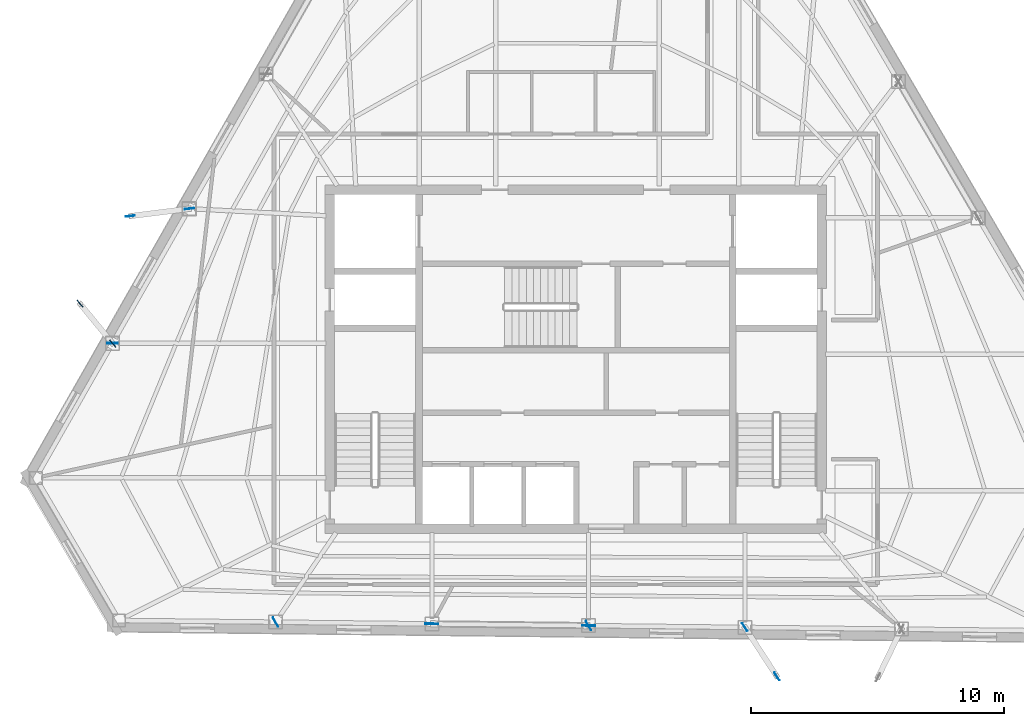
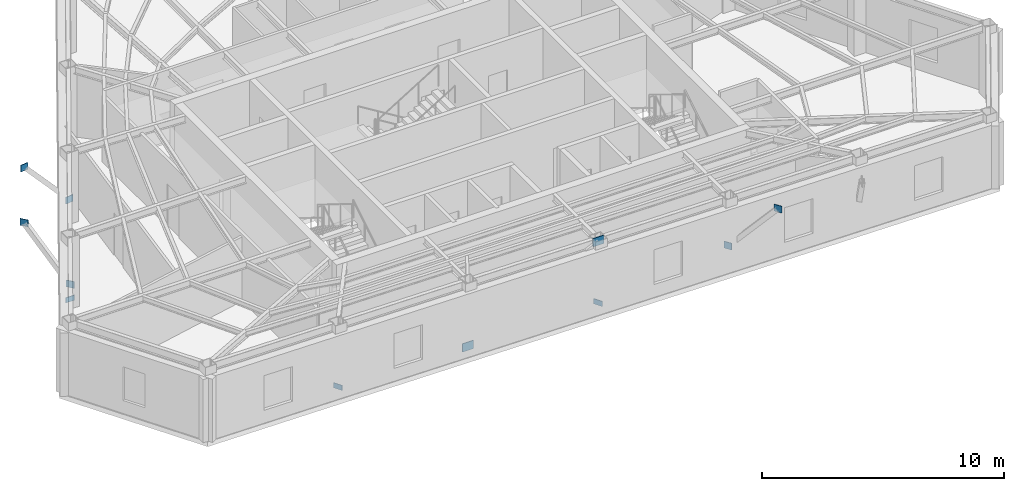
# One storey, part 4 of 11: 11 plates.
"""IFC4 building model written with IfcOpenShell, lengths in metres."""

from ifc_helpers import new_model, si_unit, direction, frame, origin, origin_2d, place, context, subcontext, project, spatial, rectangle, extrude, material, layer, layer_set, type_object, element, save


model = new_model("IFC4")

# Units and contexts
model_context = context("Model", 3, precision=1e-05, world=origin(), true_north=direction((0.0, 1.0)))
body_context = subcontext(model_context, "Body", "Model", "MODEL_VIEW")
ifc_project = project(units=[si_unit("LENGTHUNIT", "METRE"), si_unit("AREAUNIT", "SQUARE_METRE"), si_unit("VOLUMEUNIT", "CUBIC_METRE"), si_unit("PLANEANGLEUNIT", "RADIAN"), si_unit("MASSUNIT", "GRAM", prefix="KILO")], contexts=[model_context])

# Site, building, storey
site_placement = place(None, origin())
site = spatial("IfcSite", under=ifc_project, at=site_placement, CompositionType="ELEMENT")
building_placement = place(site_placement, origin())
building = spatial("IfcBuilding", under=site, at=building_placement, Name="Kavelnor Concourse Tower", CompositionType="ELEMENT")
storey_placement = place(building_placement, frame((0.0, 0.0, 258.75)))
storey = spatial("IfcBuildingStorey", under=building, at=storey_placement, Name="L65", CompositionType="ELEMENT", Elevation=258.75)

# Plates
ifc_material = material(Name="Steel Grade 350", Category="steel")
ifc_layer_1 = layer(ifc_material, 0.028076171875, Name="Steel Grade 350")
ifc_layer_set_1 = layer_set([ifc_layer_1], Name="Steel Grade 350")
plate_type_1 = type_object("IfcPlateType", Name="PL-GUSSET-FOLD", PredefinedType="USERDEFINED", material=ifc_layer_set_1)
for number, where, z_axis, x_axis, name in (
    (1, (22.750732421875, 22.041748046875, 0.8798828125), (0.0, 0.0, 1.0), (-0.99226708428, -0.124121043561, 0.0), "L65 Balcony Strut Gusset GP4 1-A End Gusset A"),
    (2, (20.418701171875, 21.75, 3.48486328125), (0.0, 0.0, 1.0), (-0.99226708428, -0.124121043561, 0.0), "L65 Balcony Strut Gusset GP4 1-A End Gusset B"),
    (3, (19.719482421875, 16.718994140625, 0.8798828125), (0.0, 0.0, 1.0), (-0.634055934345, 0.773287186058, 0.0), "L65 Balcony Strut Gusset GP4 1-B End Gusset A"),
    (4, (18.427978515625, 18.293701171875, 3.48486328125), (0.0, 0.0, 1.0), (-0.634055934345, 0.773287186058, 0.0), "L65 Balcony Strut Gusset GP4 1-B End Gusset B"),
    (5, (44.669189453125, 5.525390625, 0.8798828125), (0.0, 0.0, 1.0), (0.545370705676, -0.838194961444, 0.0), "L65 Balcony Strut Gusset GP4 2-A End Gusset A"),
    (6, (45.935302734375, 3.579345703125, 3.48486328125), (0.0, 0.0, 1.0), (0.545370705676, -0.838194961444, 0.0), "L65 Balcony Strut Gusset GP4 2-A End Gusset B"),
):
    element("IfcPlate", number, at=place(storey_placement, frame(where, z_axis=z_axis, x_axis=x_axis)), inside=storey, type_object=plate_type_1, Name=name, ObjectType="GUSSET_PLATE", PredefinedType="USERDEFINED", context=body_context, shape_type="SweptSolid", body=[
        extrude(rectangle(XDim=0.360107421875, YDim=0.028076171875, at=origin_2d()), origin(), (0.0, 0.0, 1.0), 0.340087890625),
    ])
ifc_layer_2 = layer(ifc_material, 0.031982421875, Name="Steel Grade 350")
ifc_layer_set_2 = layer_set([ifc_layer_2], Name="Steel Grade 350")
plate_type_2 = type_object("IfcPlateType", Name="PL-GUSSET-TUBE-Z1", PredefinedType="USERDEFINED", material=ifc_layer_set_2)
for number, where, z_axis, x_axis, name in (
    (7, (32.312744140625, 5.653564453125, 0.010009765625), (0.0, 0.0, 1.0), (0.999937615001, -0.011169874929, 0.0), "L65 Tube Brace Gusset GP3 F1-B2 End Gusset A"),
    (8, (38.51220703125, 5.584228515625, 3.197021484375), (0.0, 0.0, 1.0), (0.999937615001, -0.011169874929, 0.0), "L65 Tube Brace Gusset GP3 F1-B2 End Gusset B"),
):
    element("IfcPlate", number, at=place(storey_placement, frame(where, z_axis=z_axis, x_axis=x_axis)), inside=storey, type_object=plate_type_2, Name=name, ObjectType="GUSSET_PLATE", PredefinedType="USERDEFINED", context=body_context, shape_type="SweptSolid", body=[
        extrude(rectangle(XDim=0.52001953125, YDim=0.031982421875, at=origin_2d()), origin(), (0.0, 0.0, 1.0), 0.419921875),
    ])
ifc_layer_3 = layer(ifc_material, 0.02490234375, Name="Steel Grade 350")
ifc_layer_set_3 = layer_set([ifc_layer_3], Name="Steel Grade 350")
plate_type_3 = type_object("IfcPlateType", Name="PL-SPLICE-FLANGE", PredefinedType="SHEET", material=ifc_layer_set_3)
for number, where, z_axis, x_axis, name in (
    (9, (19.7119140625, 16.728271484375, 0.169921875), (0.0, 0.0, 1.0), (1.0, 0.0, 0.0), "L65 Column Flange Splice Plate F0-B5"),
    (10, (26.1494140625, 5.72265625, 0.169921875), (0.0, 0.0, 1.0), (-0.5, 0.866025403784, 0.0), "L65 Column Flange Splice Plate F1-B1"),
    (11, (38.500244140625, 5.58447265625, 0.169921875), (0.0, 0.0, 1.0), (-0.5, 0.866025403784, 0.0), "L65 Column Flange Splice Plate F1-B3"),
):
    element("IfcPlate", number, at=place(storey_placement, frame(where, z_axis=z_axis, x_axis=x_axis)), inside=storey, type_object=plate_type_3, Name=name, PredefinedType="SHEET", context=body_context, shape_type="SweptSolid", body=[
        extrude(rectangle(XDim=0.419921875, YDim=0.02490234375, at=origin_2d()), origin(), (0.0, 0.0, 1.0), 0.260009765625),
    ])

save(model, "model.ifc")
